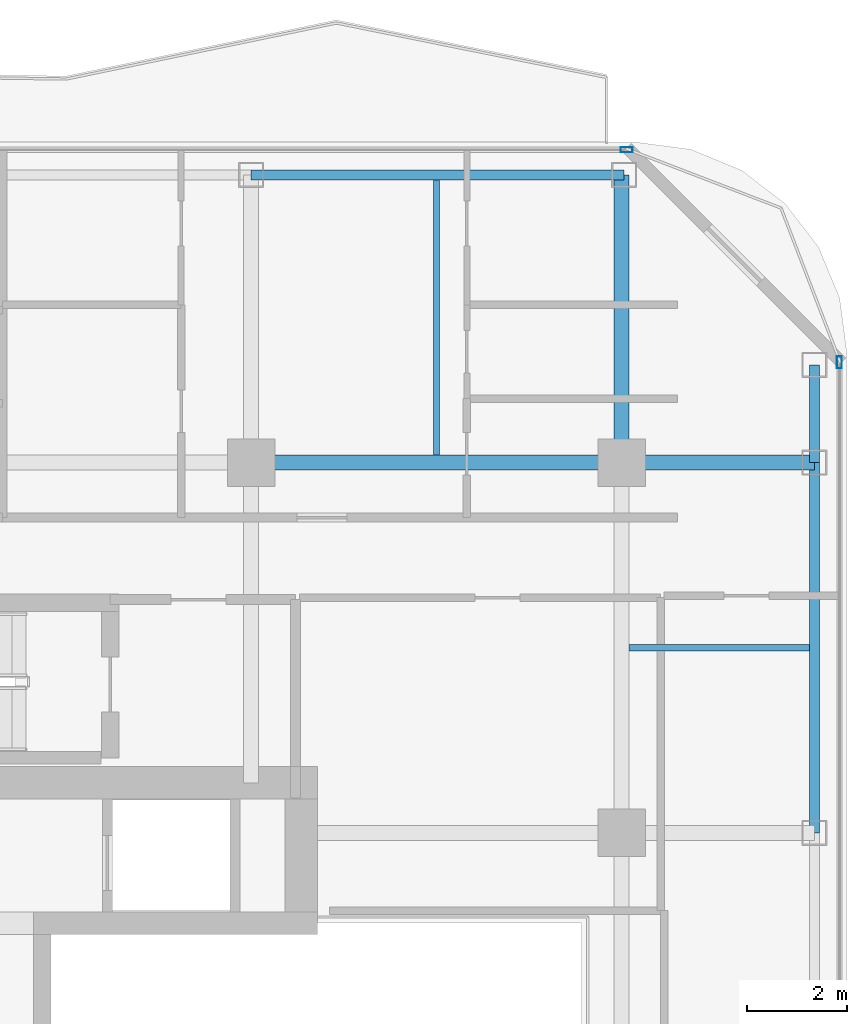
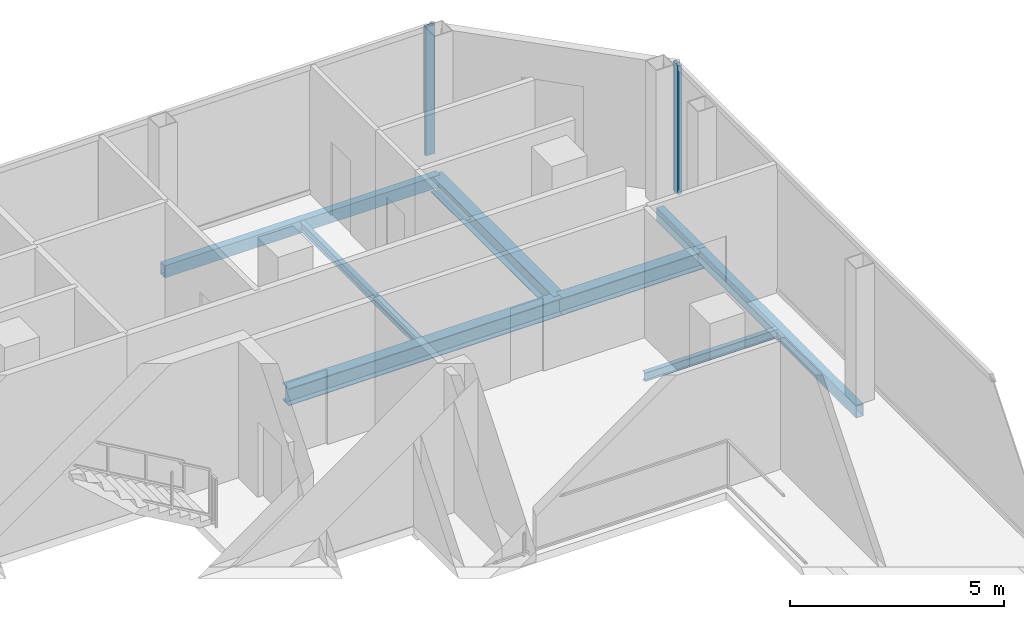
# One storey, part 14 of 23: 8 beams, 2 members, 2 elements without a shape of their own.
"""IFC4 building model written with IfcOpenShell, lengths in metres."""

from ifc_helpers import new_model, si_unit, direction, frame, origin, origin_2d, place, context, subcontext, project, spatial, hollow_rectangle, i_section, extrude, material, layer, layer_set, material_profile, profile_set, type_object, element, aggregate, save


model = new_model("IFC4")

# Units and contexts
model_context = context("Model", 3, precision=1e-05, world=origin(), true_north=direction((0.0, 1.0)))
body_context = subcontext(model_context, "Body", "Model", "MODEL_VIEW")
ifc_project = project(units=[si_unit("LENGTHUNIT", "METRE"), si_unit("AREAUNIT", "SQUARE_METRE"), si_unit("VOLUMEUNIT", "CUBIC_METRE"), si_unit("PLANEANGLEUNIT", "RADIAN"), si_unit("MASSUNIT", "GRAM", prefix="KILO")], contexts=[model_context])

# Site, building, storey
site_placement = place(None, origin())
site = spatial("IfcSite", under=ifc_project, at=site_placement, CompositionType="ELEMENT")
building_placement = place(site_placement, origin())
building = spatial("IfcBuilding", under=site, at=building_placement, Name="Khorvyn Point Tower", CompositionType="ELEMENT")
storey_placement = place(building_placement, frame((0.0, 0.0, 297.60009765625)))
storey = spatial("IfcBuildingStorey", under=building, at=storey_placement, Name="L73", CompositionType="ELEMENT", Elevation=297.60009765625)

# Curtain wall, member
ifc_material_1 = material(Name="Anodised aluminium 6063-T6 and laminated Low-E glass", Category="aluminium")
ifc_layer = layer(ifc_material_1, 0.18994140625)
ifc_layer_set = layer_set([ifc_layer], Name="Stick-Built High-Wind Curtain Wall CW-SYS-04")
curtain_wall_type = type_object("IfcCurtainWallType", Name="Stick-Built High-Wind Curtain Wall CW-SYS-04", PredefinedType="NOTDEFINED", material=ifc_layer_set)
curtain_wall_1_placement = place(storey_placement, origin())
curtain_wall_1 = element("IfcCurtainWall", 1, at=curtain_wall_1_placement, inside=storey, type_object=curtain_wall_type, Name="Curtain Wall", PredefinedType="NOTDEFINED")
ifc_material_2 = material(Name="Anodised aluminium 6063-T6", Category="aluminium")
ifc_material_profile_1 = material_profile(ifc_material_2, hollow_rectangle(XDim=0.10009765625, YDim=0.239990234375, WallThickness=0.0048828125, at=origin_2d()))
ifc_profile_set_1 = profile_set([ifc_material_profile_1], Name="Anodised aluminium 6063-T6 ALU-MUL-100x240")
member_type = type_object("IfcMemberType", Name="Anodised Aluminium 6063-T6 Mullion ALU-MUL-100x240", PredefinedType="MULLION", material=ifc_profile_set_1)
member_1_placement = place(storey_placement, frame((14.89990234375, 21.050048828125, 0.0), z_axis=(0.0, 0.0, 1.0), x_axis=(0.0, 1.0, 0.0)))
member_1 = element("IfcMember", 2, at=member_1_placement, type_object=member_type, Name="Transom", PredefinedType="MULLION", context=body_context, shape_type="SweptSolid", body=[
    extrude(hollow_rectangle(XDim=0.10009765625, YDim=0.239990234375, WallThickness=0.0048828125, at=origin_2d()), origin(), (0.0, 0.0, 1.0), 3.679931640625),
])
aggregate(curtain_wall_1, [member_1])

curtain_wall_2_placement = place(storey_placement, origin())
curtain_wall_2 = element("IfcCurtainWall", 3, at=curtain_wall_2_placement, inside=storey, type_object=curtain_wall_type, Name="Curtain Wall", PredefinedType="NOTDEFINED")
member_2_placement = place(storey_placement, frame((19.14990234375, 16.800048828125, 0.0), z_axis=(0.0, 0.0, 1.0), x_axis=(1.0, 0.0, 0.0)))
member_2 = element("IfcMember", 4, at=member_2_placement, type_object=member_type, Name="Transom", PredefinedType="MULLION", context=body_context, shape_type="SweptSolid", body=[
    extrude(hollow_rectangle(XDim=0.10009765625, YDim=0.239990234375, WallThickness=0.0048828125, at=origin_2d()), origin(), (0.0, 0.0, 1.0), 3.679931640625),
])
aggregate(curtain_wall_2, [member_2])

# Beams
ifc_material_3 = material(Name="Steel S355", Category="steel")
ifc_material_profile_2 = material_profile(ifc_material_3, i_section(OverallWidth=0.125, OverallDepth=0.25, WebThickness=0.006103515625, FlangeThickness=0.009033203125, at=origin_2d()))
ifc_profile_set_2 = profile_set([ifc_material_profile_2], Name="Steel S355 H250x125x6x9")
beam_type_1 = type_object("IfcBeamType", Name="Steel S355 Joist H250x125x6x9", PredefinedType="JOIST", material=ifc_profile_set_2)
beam_1_placement = place(storey_placement, frame((14.949951171875, 11.10009765625, -0.34521484375), z_axis=(1.0, 0.0, 0.0), x_axis=(0.0, 1.0, 0.0)))
element("IfcBeam", 5, at=beam_1_placement, inside=storey, type_object=beam_type_1, Name="Beam", PredefinedType="JOIST", context=body_context, shape_type="SweptSolid", body=[
    extrude(i_section(OverallWidth=0.125, OverallDepth=0.25, WebThickness=0.006103515625, FlangeThickness=0.009033203125, at=origin_2d()), origin(), (0.0, 0.0, 1.0), 3.60009765625),
])
beam_2_placement = place(storey_placement, frame((11.10009765625, 14.949951171875, -0.34521484375), z_axis=(0.0, 1.0, 0.0), x_axis=(-1.0, 0.0, 0.0)))
element("IfcBeam", 6, at=beam_2_placement, inside=storey, type_object=beam_type_1, Name="Beam", PredefinedType="JOIST", context=body_context, shape_type="SweptSolid", body=[
    extrude(i_section(OverallWidth=0.125, OverallDepth=0.25, WebThickness=0.006103515625, FlangeThickness=0.009033203125, at=origin_2d()), origin(), (0.0, 0.0, 1.0), 5.5),
])
ifc_material_profile_3 = material_profile(ifc_material_3, i_section(OverallWidth=0.300048828125, OverallDepth=0.488037109375, WebThickness=0.010986328125, FlangeThickness=0.01806640625, at=origin_2d()))
ifc_profile_set_3 = profile_set([ifc_material_profile_3], Name="Steel S355 H488x300x11x18")
beam_type_2 = type_object("IfcBeamType", Name="Steel S355 Spandrel H488x300x11x18", PredefinedType="SPANDREL", material=ifc_profile_set_3)
beam_3_placement = place(storey_placement, frame((7.39990234375, 14.800048828125, -0.464111328125), z_axis=(1.0, 0.0, 0.0), x_axis=(0.0, 1.0, 0.0)))
element("IfcBeam", 7, at=beam_3_placement, inside=storey, type_object=beam_type_2, Name="Beam", PredefinedType="SPANDREL", context=body_context, shape_type="SweptSolid", body=[
    extrude(i_section(OverallWidth=0.300048828125, OverallDepth=0.488037109375, WebThickness=0.010986328125, FlangeThickness=0.01806640625, at=origin_2d()), origin(), (0.0, 0.0, 1.0), 7.400146484375),
])
beam_4_placement = place(storey_placement, frame((14.800048828125, 14.800048828125, -0.464111328125), z_axis=(1.0, 0.0, 0.0), x_axis=(0.0, 1.0, 0.0)))
element("IfcBeam", 8, at=beam_4_placement, inside=storey, type_object=beam_type_2, Name="Beam", PredefinedType="SPANDREL", context=body_context, shape_type="SweptSolid", body=[
    extrude(i_section(OverallWidth=0.300048828125, OverallDepth=0.488037109375, WebThickness=0.010986328125, FlangeThickness=0.01806640625, at=origin_2d()), origin(), (0.0, 0.0, 1.0), 3.849853515625),
])
beam_5_placement = place(storey_placement, frame((14.800048828125, 14.800048828125, -0.464111328125), z_axis=(0.0, 1.0, 0.0), x_axis=(-1.0, 0.0, 0.0)))
element("IfcBeam", 9, at=beam_5_placement, inside=storey, type_object=beam_type_2, Name="Beam", PredefinedType="SPANDREL", context=body_context, shape_type="SweptSolid", body=[
    extrude(i_section(OverallWidth=0.300048828125, OverallDepth=0.488037109375, WebThickness=0.010986328125, FlangeThickness=0.01806640625, at=origin_2d()), origin(), (0.0, 0.0, 1.0), 5.75),
])
ifc_material_profile_4 = material_profile(ifc_material_3, hollow_rectangle(XDim=0.199951171875, YDim=0.35009765625, WallThickness=0.013916015625, at=origin_2d()))
ifc_profile_set_4 = profile_set([ifc_material_profile_4], Name="Steel S355 RHS350x200x14")
beam_type_3 = type_object("IfcBeamType", Name="Steel S355 Spandrel RHS350x200x14", PredefinedType="SPANDREL", material=ifc_profile_set_4)
beam_6_placement = place(storey_placement, frame((7.39990234375, 20.550048828125, -0.39501953125), z_axis=(1.0, 0.0, 0.0), x_axis=(0.0, 1.0, 0.0)))
element("IfcBeam", 10, at=beam_6_placement, inside=storey, type_object=beam_type_3, Name="Beam", PredefinedType="SPANDREL", context=body_context, shape_type="SweptSolid", body=[
    extrude(hollow_rectangle(XDim=0.199951171875, YDim=0.35009765625, WallThickness=0.013916015625, at=origin_2d()), origin(), (0.0, 0.0, 1.0), 7.4501953125),
])
beam_7_placement = place(storey_placement, frame((18.64990234375, 7.39990234375, -0.39501953125), z_axis=(0.0, 1.0, 0.0), x_axis=(-1.0, 0.0, 0.0)))
element("IfcBeam", 11, at=beam_7_placement, inside=storey, type_object=beam_type_3, Name="Beam", PredefinedType="SPANDREL", context=body_context, shape_type="SweptSolid", body=[
    extrude(hollow_rectangle(XDim=0.199951171875, YDim=0.35009765625, WallThickness=0.013916015625, at=origin_2d()), origin(), (0.0, 0.0, 1.0), 7.400146484375),
])
beam_8_placement = place(storey_placement, frame((18.64990234375, 14.800048828125, -0.39501953125), z_axis=(0.0, 1.0, 0.0), x_axis=(-1.0, 0.0, 0.0)))
element("IfcBeam", 12, at=beam_8_placement, inside=storey, type_object=beam_type_3, Name="Beam", PredefinedType="SPANDREL", context=body_context, shape_type="SweptSolid", body=[
    extrude(hollow_rectangle(XDim=0.199951171875, YDim=0.35009765625, WallThickness=0.013916015625, at=origin_2d()), origin(), (0.0, 0.0, 1.0), 1.949951171875),
])

save(model, "model.ifc")
